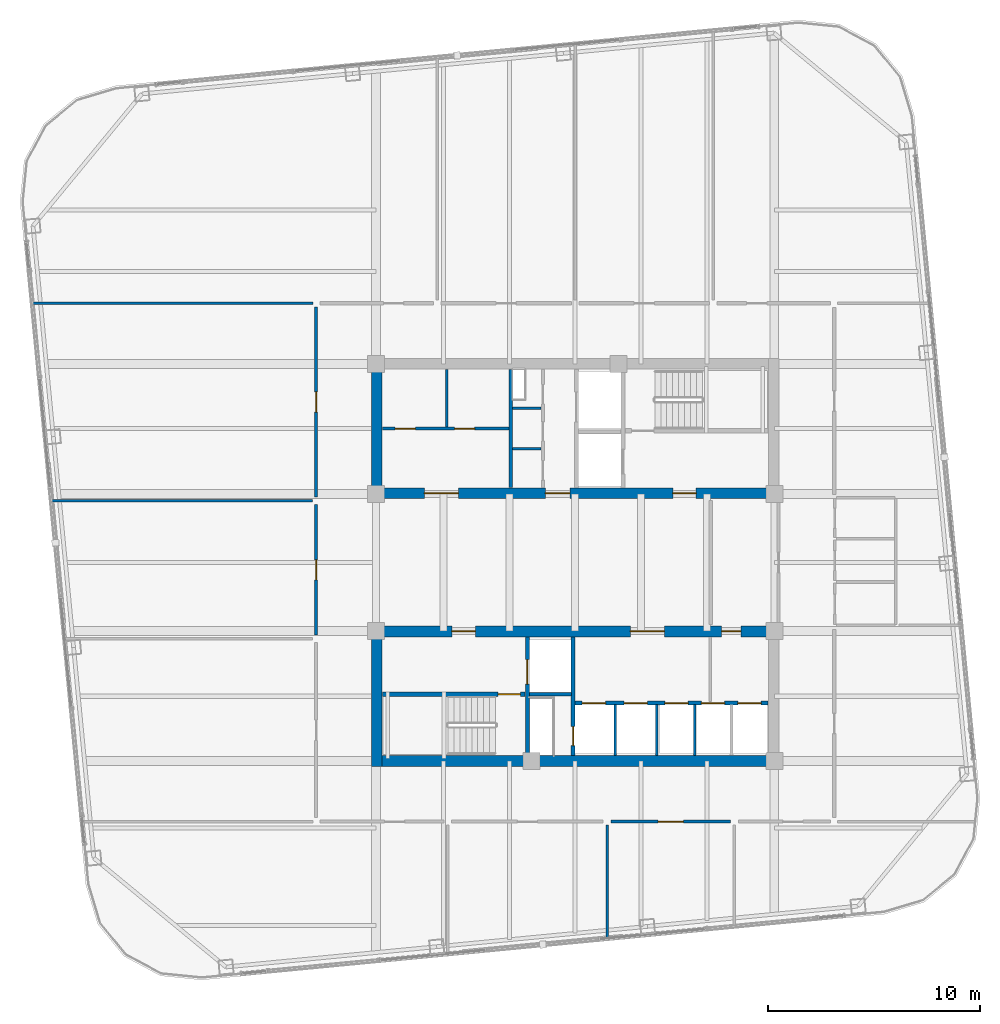
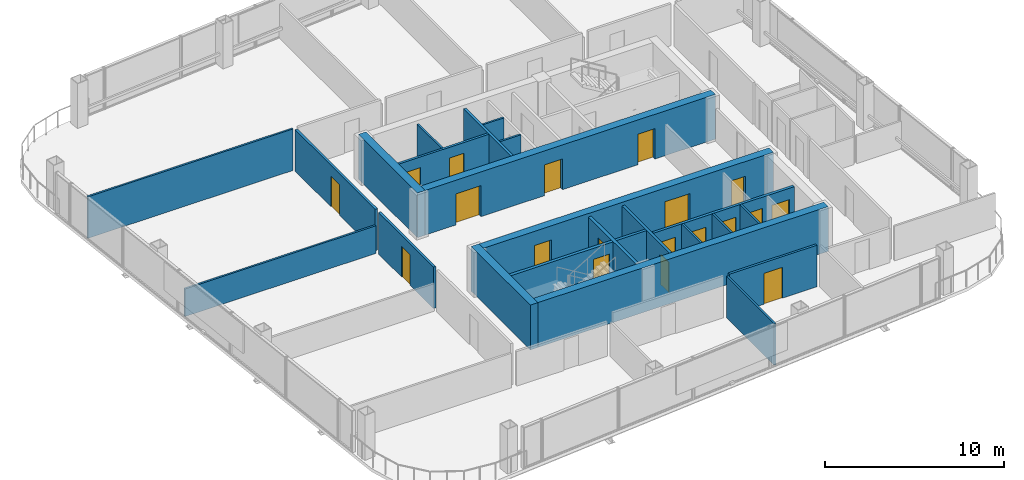
# One storey, part 24 of 29: 24 walls, 19 doors, 19 openings.
"""IFC4 building model written with IfcOpenShell, lengths in metres."""

from ifc_helpers import new_model, si_unit, direction, frame, frame_2d, origin, place, context, subcontext, project, spatial, rectangle, extrude, material, layer, layer_set, type_object, element, fill, save


model = new_model("IFC4")

# Units and contexts
model_context = context("Model", 3, precision=1e-05, world=origin(), true_north=direction((0.0, 1.0)))
body_context = subcontext(model_context, "Body", "Model", "MODEL_VIEW")
ifc_project = project(units=[si_unit("LENGTHUNIT", "METRE"), si_unit("AREAUNIT", "SQUARE_METRE"), si_unit("VOLUMEUNIT", "CUBIC_METRE"), si_unit("PLANEANGLEUNIT", "RADIAN"), si_unit("MASSUNIT", "GRAM", prefix="KILO")], contexts=[model_context])

# Site, building, storey
site_placement = place(None, origin())
site = spatial("IfcSite", under=ifc_project, at=site_placement, CompositionType="ELEMENT")
building_placement = place(site_placement, origin())
building = spatial("IfcBuilding", under=site, at=building_placement, Name="Qhalaya Broadcast Tower", CompositionType="ELEMENT")
storey_placement = place(building_placement, frame((0.0, 0.0, 177.5)))
storey = spatial("IfcBuildingStorey", under=building, at=storey_placement, Name="L52", CompositionType="ELEMENT", Elevation=177.5)

# Wall, openings, doors
ifc_material_1 = material(Name="Gypsum Acoustic Partition")
ifc_layer_1 = layer(ifc_material_1, 0.14990234375, Name="Gypsum Acoustic Partition")
ifc_layer_set_1 = layer_set([ifc_layer_1], Name="Gypsum Acoustic Partition")
wall_type_1 = type_object("IfcWallType", Name="Corridor & Tenancy Acoustic Partition 150", PredefinedType="PARTITIONING", material=ifc_layer_set_1)
wall_1_placement = place(storey_placement, frame((-9.080078125, 6.89990234375, 0.0), z_axis=(0.0, 0.0, 1.0), x_axis=(1.0, 0.0, 0.0)))
wall_1 = element("IfcWall", 1, at=wall_1_placement, inside=storey, type_object=wall_type_1, Name="L52 Partition Wall NCW-REC1", PredefinedType="PARTITIONING", context=body_context, shape_type="SweptSolid", body=[
    extrude(rectangle(XDim=5.9599609375, YDim=0.14990234375, at=frame_2d((2.97998046875, 0.0))), origin(), (0.0, 0.0, 1.0), 2.830078125),
])
opening_1_placement = place(wall_1_placement, frame((0.60009765625, 0.0, 0.0)))
opening_1 = element("IfcOpeningElement", 2, at=opening_1_placement, cuts=wall_1, Name="Opening D10", PredefinedType="OPENING", context=body_context, shape_type="SweptSolid", body=[
    extrude(rectangle(XDim=0.949951171875, YDim=2.10009765625, at=frame_2d((0.47509765625, 1.050048828125))), frame((0.0, 0.0869140625, 0.0), z_axis=(0.0, -1.0, 0.0), x_axis=(1.0, 0.0, 0.0)), (0.0, 0.0, 1.0), 0.173828125),
])
opening_2_placement = place(wall_1_placement, frame((3.39990234375, 0.0, 0.0)))
opening_2 = element("IfcOpeningElement", 3, at=opening_2_placement, cuts=wall_1, Name="Opening D10", PredefinedType="OPENING", context=body_context, shape_type="SweptSolid", body=[
    extrude(rectangle(XDim=0.949951171875, YDim=2.10009765625, at=frame_2d((0.47509765625, 1.050048828125))), frame((0.0, 0.0869140625, 0.0), z_axis=(0.0, -1.0, 0.0), x_axis=(1.0, 0.0, 0.0)), (0.0, 0.0, 1.0), 0.173828125),
])
ifc_material_2 = material(Name="Timber Veneer Acoustic Door", Category="wood")
door_type_1 = type_object("IfcDoorType", Name="Cellular Office & Edit Booth Door D10", OperationType="NOTDEFINED", PredefinedType="DOOR", material=ifc_material_2)
door_1_placement = place(opening_1_placement, origin())
door_1 = element("IfcDoor", 4, at=door_1_placement, inside=storey, type_object=door_type_1, Name="L52 Door D-NREC1", OperationType="SINGLE_SWING_LEFT", OverallHeight=2.10009765625, OverallWidth=0.949951171875, PredefinedType="DOOR", context=body_context, shape_type="SweptSolid", body=[
    extrude(rectangle(XDim=0.949951171875, YDim=2.10009765625, at=frame_2d((0.47509765625, 1.050048828125))), frame((0.0, 0.02490234375, 0.0), z_axis=(0.0, -1.0, 0.0), x_axis=(1.0, 0.0, 0.0)), (0.0, 0.0, 1.0), 0.050048828125),
])
fill(opening_1, door_1)
door_2_placement = place(opening_2_placement, origin())
door_2 = element("IfcDoor", 5, at=door_2_placement, inside=storey, type_object=door_type_1, Name="L52 Door D-NREC2", OperationType="SINGLE_SWING_RIGHT", OverallHeight=2.10009765625, OverallWidth=0.949951171875, PredefinedType="DOOR", context=body_context, shape_type="SweptSolid", body=[
    extrude(rectangle(XDim=0.949951171875, YDim=2.10009765625, at=frame_2d((0.47509765625, 1.050048828125))), frame((0.0, 0.02490234375, 0.0), z_axis=(0.0, -1.0, 0.0), x_axis=(1.0, 0.0, 0.0)), (0.0, 0.0, 1.0), 0.050048828125),
])
fill(opening_2, door_2)

# Wall, opening, door
wall_2_placement = place(storey_placement, frame((1.679931640625, -11.60009765625, 0.0), z_axis=(0.0, 0.0, 1.0), x_axis=(1.0, 0.0, 0.0)))
wall_2 = element("IfcWall", 6, at=wall_2_placement, inside=storey, type_object=wall_type_1, Name="L52 Partition Wall W-COR-07", PredefinedType="PARTITIONING", context=body_context, shape_type="SweptSolid", body=[
    extrude(rectangle(XDim=5.64013671875, YDim=0.14990234375, at=frame_2d((2.820068359375, 0.0))), origin(), (0.0, 0.0, 1.0), 2.830078125),
])
opening_3_placement = place(wall_2_placement, frame((2.219970703125, 0.0, 0.0)))
opening_3 = element("IfcOpeningElement", 7, at=opening_3_placement, cuts=wall_2, Name="Opening D11", PredefinedType="OPENING", context=body_context, shape_type="SweptSolid", body=[
    extrude(rectangle(XDim=1.199951171875, YDim=2.10009765625, at=frame_2d((0.60009765625, 1.050048828125))), frame((0.0, 0.0869140625, 0.0), z_axis=(0.0, -1.0, 0.0), x_axis=(1.0, 0.0, 0.0)), (0.0, 0.0, 1.0), 0.173828125),
])
ifc_material_3 = material(Name="Anodised Aluminium Glazed Door", Category="aluminium")
door_type_2 = type_object("IfcDoorType", Name="Conference, Boardroom & Studio Control Door D11", OperationType="NOTDEFINED", PredefinedType="DOOR", material=ifc_material_3)
door_3_placement = place(opening_3_placement, origin())
door_3 = element("IfcDoor", 8, at=door_3_placement, inside=storey, type_object=door_type_2, Name="L52 Door D-RM07", OperationType="SINGLE_SWING_RIGHT", OverallHeight=2.10009765625, OverallWidth=1.199951171875, PredefinedType="DOOR", context=body_context, shape_type="SweptSolid", body=[
    extrude(rectangle(XDim=1.199951171875, YDim=2.10009765625, at=frame_2d((0.60009765625, 1.050048828125))), frame((0.0, 0.02490234375, 0.0), z_axis=(0.0, -1.0, 0.0), x_axis=(1.0, 0.0, 0.0)), (0.0, 0.0, 1.0), 0.050048828125),
])
fill(opening_3, door_3)

wall_3_placement = place(storey_placement, frame((-12.199951171875, -2.820068359375, 0.0), z_axis=(0.0, 0.0, 1.0), x_axis=(0.0, 1.0, 0.0)))
wall_3 = element("IfcWall", 9, at=wall_3_placement, inside=storey, type_object=wall_type_1, Name="L52 Partition Wall W-COR-10", PredefinedType="PARTITIONING", context=body_context, shape_type="SweptSolid", body=[
    extrude(rectangle(XDim=6.14013671875, YDim=0.14990234375, at=frame_2d((3.070068359375, 0.0))), origin(), (0.0, 0.0, 1.0), 2.830078125),
])
opening_4_placement = place(wall_3_placement, frame((2.594970703125, 0.0, 0.0)))
opening_4 = element("IfcOpeningElement", 10, at=opening_4_placement, cuts=wall_3, Name="Opening D10", PredefinedType="OPENING", context=body_context, shape_type="SweptSolid", body=[
    extrude(rectangle(XDim=0.949951171875, YDim=2.10009765625, at=frame_2d((0.47509765625, 1.050048828125))), frame((0.0, 0.0869140625, 0.0), z_axis=(0.0, -1.0, 0.0), x_axis=(1.0, 0.0, 0.0)), (0.0, 0.0, 1.0), 0.173828125),
])
door_4_placement = place(opening_4_placement, origin())
door_4 = element("IfcDoor", 11, at=door_4_placement, inside=storey, type_object=door_type_1, Name="L52 Door D-RM10", OperationType="SINGLE_SWING_LEFT", OverallHeight=2.10009765625, OverallWidth=0.949951171875, PredefinedType="DOOR", context=body_context, shape_type="SweptSolid", body=[
    extrude(rectangle(XDim=0.949951171875, YDim=2.10009765625, at=frame_2d((0.47509765625, 1.050048828125))), frame((0.0, 0.02490234375, 0.0), z_axis=(0.0, -1.0, 0.0), x_axis=(1.0, 0.0, 0.0)), (0.0, 0.0, 1.0), 0.050048828125),
])
fill(opening_4, door_4)

wall_4_placement = place(storey_placement, frame((-12.199951171875, 3.679931640625, 0.0), z_axis=(0.0, 0.0, 1.0), x_axis=(0.0, 1.0, 0.0)))
wall_4 = element("IfcWall", 12, at=wall_4_placement, inside=storey, type_object=wall_type_1, Name="L52 Partition Wall W-COR-11", PredefinedType="PARTITIONING", context=body_context, shape_type="SweptSolid", body=[
    extrude(rectangle(XDim=8.940185546875, YDim=0.14990234375, at=frame_2d((4.47021484375, 0.0))), origin(), (0.0, 0.0, 1.0), 2.830078125),
])
opening_5_placement = place(wall_4_placement, frame((3.9951171875, 0.0, 0.0)))
opening_5 = element("IfcOpeningElement", 13, at=opening_5_placement, cuts=wall_4, Name="Opening D10", PredefinedType="OPENING", context=body_context, shape_type="SweptSolid", body=[
    extrude(rectangle(XDim=0.949951171875, YDim=2.10009765625, at=frame_2d((0.47509765625, 1.050048828125))), frame((0.0, 0.0869140625, 0.0), z_axis=(0.0, -1.0, 0.0), x_axis=(1.0, 0.0, 0.0)), (0.0, 0.0, 1.0), 0.173828125),
])
door_5_placement = place(opening_5_placement, origin())
door_5 = element("IfcDoor", 14, at=door_5_placement, inside=storey, type_object=door_type_1, Name="L52 Door D-RM11", OperationType="SINGLE_SWING_RIGHT", OverallHeight=2.10009765625, OverallWidth=0.949951171875, PredefinedType="DOOR", context=body_context, shape_type="SweptSolid", body=[
    extrude(rectangle(XDim=0.949951171875, YDim=2.10009765625, at=frame_2d((0.47509765625, 1.050048828125))), frame((0.0, 0.02490234375, 0.0), z_axis=(0.0, -1.0, 0.0), x_axis=(1.0, 0.0, 0.0)), (0.0, 0.0, 1.0), 0.050048828125),
])
fill(opening_5, door_5)

ifc_material_4 = material(Name="Concrete C50/60", Category="concrete")
ifc_layer_2 = layer(ifc_material_4, 0.199951171875, Name="Concrete C50/60")
ifc_layer_set_2 = layer_set([ifc_layer_2], Name="Concrete C50/60")
wall_type_2 = type_object("IfcWallType", Name="Load-Bearing Stair Shaft Wall 200", PredefinedType="SHEAR", material=ifc_layer_set_2)
wall_5_placement = place(storey_placement, frame((-9.080078125, -5.60498046875, 0.0), z_axis=(0.0, 0.0, 1.0), x_axis=(1.0, 0.0, 0.0)))
wall_5 = element("IfcWall", 15, at=wall_5_placement, inside=storey, type_object=wall_type_2, Name="L52 Stair Core Shear Wall SCW-ST2", PredefinedType="SHEAR", context=body_context, shape_type="SweptSolid", body=[
    extrude(rectangle(XDim=6.719970703125, YDim=0.199951171875, at=frame_2d((3.35986328125, 0.0))), origin(), (0.0, 0.0, 1.0), 2.830078125),
])
opening_6_placement = place(wall_5_placement, frame((5.449951171875, 0.0, 0.0)))
opening_6 = element("IfcOpeningElement", 16, at=opening_6_placement, cuts=wall_5, Name="Opening D03", PredefinedType="OPENING", context=body_context, shape_type="SweptSolid", body=[
    extrude(rectangle(XDim=1.050048828125, YDim=2.080078125, at=frame_2d((0.52490234375, 1.0400390625))), frame((0.0, 0.112060546875, 0.0), z_axis=(0.0, -1.0, 0.0), x_axis=(1.0, 0.0, 0.0)), (0.0, 0.0, 1.0), 0.223876953125),
])
ifc_material_5 = material(Name="Fire-Rated Steel Door", Category="steel")
door_type_3 = type_object("IfcDoorType", Name="Core Stair Protected Fire Door D03", OperationType="NOTDEFINED", PredefinedType="DOOR", material=ifc_material_5)
door_6_placement = place(opening_6_placement, origin())
door_6 = element("IfcDoor", 17, at=door_6_placement, inside=storey, type_object=door_type_3, Name="L52 Door D-SST2", OperationType="SINGLE_SWING_RIGHT", OverallHeight=2.080078125, OverallWidth=1.050048828125, PredefinedType="DOOR", context=body_context, shape_type="SweptSolid", body=[
    extrude(rectangle(XDim=1.050048828125, YDim=2.080078125, at=frame_2d((0.52490234375, 1.0400390625))), frame((0.0, 0.02490234375, 0.0), z_axis=(0.0, -1.0, 0.0), x_axis=(1.0, 0.0, 0.0)), (0.0, 0.0, 1.0), 0.050048828125),
])
fill(opening_6, door_6)

wall_6_placement = place(storey_placement, frame((-2.25, -8.47998046875, 0.0), z_axis=(0.0, 0.0, 1.0), x_axis=(0.0, 1.0, 0.0)))
wall_6 = element("IfcWall", 18, at=wall_6_placement, inside=storey, type_object=wall_type_2, Name="L52 Stair Core Shear Wall SCW-FF", PredefinedType="SHEAR", context=body_context, shape_type="SweptSolid", body=[
    extrude(rectangle(XDim=5.56005859375, YDim=0.199951171875, at=frame_2d((2.780029296875, 0.0))), origin(), (0.0, 0.0, 1.0), 2.830078125),
])
opening_7_placement = place(wall_6_placement, frame((3.35009765625, 0.0, 0.0)))
opening_7 = element("IfcOpeningElement", 19, at=opening_7_placement, cuts=wall_6, Name="Opening LD2", PredefinedType="OPENING", context=body_context, shape_type="SweptSolid", body=[
    extrude(rectangle(XDim=1.14990234375, YDim=2.080078125, at=frame_2d((0.574951171875, 1.0400390625))), frame((0.0, 0.112060546875, 0.0), z_axis=(0.0, -1.0, 0.0), x_axis=(1.0, 0.0, 0.0)), (0.0, 0.0, 1.0), 0.223876953125),
])
ifc_material_6 = material(Name="Brushed Stainless Steel Lift Door", Category="steel")
door_type_4 = type_object("IfcDoorType", Name="Firefighting Lift Sliding Landing Door LD2", OperationType="DOUBLE_DOOR_SLIDING", PredefinedType="DOOR", material=ifc_material_6)
door_7_placement = place(opening_7_placement, origin())
door_7 = element("IfcDoor", 20, at=door_7_placement, inside=storey, type_object=door_type_4, Name="L52 Door LD-FF2", OperationType="DOUBLE_DOOR_SLIDING", OverallHeight=2.080078125, OverallWidth=1.14990234375, PredefinedType="DOOR", context=body_context, shape_type="SweptSolid", body=[
    extrude(rectangle(XDim=1.14990234375, YDim=2.080078125, at=frame_2d((0.574951171875, 1.0400390625))), frame((0.0, 0.02490234375, 0.0), z_axis=(0.0, -1.0, 0.0), x_axis=(1.0, 0.0, 0.0)), (0.0, 0.0, 1.0), 0.050048828125),
])
fill(opening_7, door_7)

# Wall, openings, doors
ifc_layer_3 = layer(ifc_material_4, 0.5, Name="Concrete C50/60")
ifc_layer_set_3 = layer_set([ifc_layer_3], Name="Concrete C50/60")
wall_type_3 = type_object("IfcWallType", Name="Mid Split-Core Shear Wall 500", PredefinedType="SHEAR", material=ifc_layer_set_3)
wall_7_placement = place(storey_placement, frame((-9.60009765625, 3.85009765625, 0.0), z_axis=(0.0, 0.0, 1.0), x_axis=(1.0, 0.0, 0.0)))
wall_7 = element("IfcWall", 21, at=wall_7_placement, inside=storey, type_object=wall_type_3, Name="L52 Split-Core Shear Wall CW-NS", PredefinedType="SHEAR", context=body_context, shape_type="SweptSolid", body=[
    extrude(rectangle(XDim=19.2001953125, YDim=0.5, at=frame_2d((9.60009765625, 0.0))), origin(), (0.0, 0.0, 1.0), 3.050048828125),
])
opening_8_placement = place(wall_7_placement, frame((14.199951171875, 0.0, 0.0)))
opening_8 = element("IfcOpeningElement", 22, at=opening_8_placement, cuts=wall_7, Name="Opening D04", PredefinedType="OPENING", context=body_context, shape_type="SweptSolid", body=[
    extrude(rectangle(XDim=1.10009765625, YDim=2.080078125, at=frame_2d((0.550048828125, 1.0400390625))), frame((0.0, 0.261962890625, 0.0), z_axis=(0.0, -1.0, 0.0), x_axis=(1.0, 0.0, 0.0)), (0.0, 0.0, 1.0), 0.52392578125),
])
opening_9_placement = place(wall_7_placement, frame((8.199951171875, 0.0, 0.0)))
opening_9 = element("IfcOpeningElement", 23, at=opening_9_placement, cuts=wall_7, Name="Opening D05", PredefinedType="OPENING", context=body_context, shape_type="SweptSolid", body=[
    extrude(rectangle(XDim=1.14990234375, YDim=2.10009765625, at=frame_2d((0.574951171875, 1.050048828125))), frame((0.0, 0.261962890625, 0.0), z_axis=(0.0, -1.0, 0.0), x_axis=(1.0, 0.0, 0.0)), (0.0, 0.0, 1.0), 0.52392578125),
])
opening_10_placement = place(wall_7_placement, frame((2.5, 0.0, 0.0)))
opening_10 = element("IfcOpeningElement", 24, at=opening_10_placement, cuts=wall_7, Name="Opening D07", PredefinedType="OPENING", context=body_context, shape_type="SweptSolid", body=[
    extrude(rectangle(XDim=1.60009765625, YDim=2.1201171875, at=frame_2d((0.800048828125, 1.06005859375))), frame((0.0, 0.261962890625, 0.0), z_axis=(0.0, -1.0, 0.0), x_axis=(1.0, 0.0, 0.0)), (0.0, 0.0, 1.0), 0.52392578125),
])
door_type_5 = type_object("IfcDoorType", Name="Firefighting Lobby Rated Door D04", OperationType="NOTDEFINED", PredefinedType="DOOR", material=ifc_material_5)
door_8_placement = place(opening_8_placement, origin())
door_8 = element("IfcDoor", 25, at=door_8_placement, inside=storey, type_object=door_type_5, Name="L52 Door D-NFF", OperationType="SINGLE_SWING_RIGHT", OverallHeight=2.080078125, OverallWidth=1.10009765625, PredefinedType="DOOR", context=body_context, shape_type="SweptSolid", body=[
    extrude(rectangle(XDim=1.10009765625, YDim=2.080078125, at=frame_2d((0.550048828125, 1.0400390625))), frame((0.0, 0.02490234375, 0.0), z_axis=(0.0, -1.0, 0.0), x_axis=(1.0, 0.0, 0.0)), (0.0, 0.0, 1.0), 0.050048828125),
])
fill(opening_8, door_8)
door_type_6 = type_object("IfcDoorType", Name="Passenger Lift Lobby Double Glazed Door D07", OperationType="DOUBLE_DOOR_SINGLE_SWING", PredefinedType="DOOR", material=ifc_material_3)
door_9_placement = place(opening_10_placement, origin())
door_9 = element("IfcDoor", 26, at=door_9_placement, inside=storey, type_object=door_type_6, Name="L52 Door D-NRECV", OperationType="DOUBLE_DOOR_SINGLE_SWING", OverallHeight=2.1201171875, OverallWidth=1.60009765625, PredefinedType="DOOR", context=body_context, shape_type="SweptSolid", body=[
    extrude(rectangle(XDim=1.60009765625, YDim=2.1201171875, at=frame_2d((0.800048828125, 1.06005859375))), frame((0.0, 0.02490234375, 0.0), z_axis=(0.0, -1.0, 0.0), x_axis=(1.0, 0.0, 0.0)), (0.0, 0.0, 1.0), 0.050048828125),
])
fill(opening_10, door_9)
door_type_7 = type_object("IfcDoorType", Name="Refuge & Plant Room Fire Door D05", OperationType="NOTDEFINED", PredefinedType="DOOR", material=ifc_material_5)
door_10_placement = place(opening_9_placement, origin())
door_10 = element("IfcDoor", 27, at=door_10_placement, inside=storey, type_object=door_type_7, Name="L52 Door D-NSVL", OperationType="SINGLE_SWING_LEFT", OverallHeight=2.10009765625, OverallWidth=1.14990234375, PredefinedType="DOOR", context=body_context, shape_type="SweptSolid", body=[
    extrude(rectangle(XDim=1.14990234375, YDim=2.10009765625, at=frame_2d((0.574951171875, 1.050048828125))), frame((0.0, 0.02490234375, 0.0), z_axis=(0.0, -1.0, 0.0), x_axis=(1.0, 0.0, 0.0)), (0.0, 0.0, 1.0), 0.050048828125),
])
fill(opening_9, door_10)

# Walls
wall_8_placement = place(storey_placement, frame((-9.35009765625, 3.60009765625, 0.0), z_axis=(0.0, 0.0, 1.0), x_axis=(0.0, 1.0, 0.0)))
element("IfcWall", 28, at=wall_8_placement, inside=storey, type_object=wall_type_3, Name="L52 Split-Core Shear Wall CW-NW", PredefinedType="SHEAR", context=body_context, shape_type="SweptSolid", body=[
    extrude(rectangle(XDim=6.599853515625, YDim=0.5, at=frame_2d((3.2998046875, 0.0))), origin(), (0.0, 0.0, 1.0), 3.050048828125),
])
wall_9_placement = place(storey_placement, frame((-9.60009765625, -8.75, 0.0), z_axis=(0.0, 0.0, 1.0), x_axis=(1.0, 0.0, 0.0)))
element("IfcWall", 29, at=wall_9_placement, inside=storey, type_object=wall_type_3, Name="L52 Split-Core Shear Wall CW-SS", PredefinedType="SHEAR", context=body_context, shape_type="SweptSolid", body=[
    extrude(rectangle(XDim=19.2001953125, YDim=0.5, at=frame_2d((9.60009765625, 0.0))), origin(), (0.0, 0.0, 1.0), 3.050048828125),
])

# Wall, openings, doors
wall_10_placement = place(storey_placement, frame((-9.60009765625, -2.64990234375, 0.0), z_axis=(0.0, 0.0, 1.0), x_axis=(1.0, 0.0, 0.0)))
wall_10 = element("IfcWall", 30, at=wall_10_placement, inside=storey, type_object=wall_type_3, Name="L52 Split-Core Shear Wall CW-SN", PredefinedType="SHEAR", context=body_context, shape_type="SweptSolid", body=[
    extrude(rectangle(XDim=19.2001953125, YDim=0.5, at=frame_2d((9.60009765625, 0.0))), origin(), (0.0, 0.0, 1.0), 3.050048828125),
])
opening_11_placement = place(wall_10_placement, frame((3.800048828125, 0.0, 0.0)))
opening_11 = element("IfcOpeningElement", 31, at=opening_11_placement, cuts=wall_10, Name="Opening D04", PredefinedType="OPENING", context=body_context, shape_type="SweptSolid", body=[
    extrude(rectangle(XDim=1.10009765625, YDim=2.080078125, at=frame_2d((0.550048828125, 1.0400390625))), frame((0.0, 0.261962890625, 0.0), z_axis=(0.0, -1.0, 0.0), x_axis=(1.0, 0.0, 0.0)), (0.0, 0.0, 1.0), 0.52392578125),
])
opening_12_placement = place(wall_10_placement, frame((12.199951171875, 0.0, 0.0)))
opening_12 = element("IfcOpeningElement", 32, at=opening_12_placement, cuts=wall_10, Name="Opening D07", PredefinedType="OPENING", context=body_context, shape_type="SweptSolid", body=[
    extrude(rectangle(XDim=1.60009765625, YDim=2.1201171875, at=frame_2d((0.800048828125, 1.06005859375))), frame((0.0, 0.261962890625, 0.0), z_axis=(0.0, -1.0, 0.0), x_axis=(1.0, 0.0, 0.0)), (0.0, 0.0, 1.0), 0.52392578125),
])
opening_13_placement = place(wall_10_placement, frame((16.5, 0.0, 0.0)))
opening_13 = element("IfcOpeningElement", 33, at=opening_13_placement, cuts=wall_10, Name="Opening D06", PredefinedType="OPENING", context=body_context, shape_type="SweptSolid", body=[
    extrude(rectangle(XDim=0.89990234375, YDim=2.050048828125, at=frame_2d((0.449951171875, 1.02490234375))), frame((0.0, 0.261962890625, 0.0), z_axis=(0.0, -1.0, 0.0), x_axis=(1.0, 0.0, 0.0)), (0.0, 0.0, 1.0), 0.52392578125),
])
door_11_placement = place(opening_11_placement, origin())
door_11 = element("IfcDoor", 34, at=door_11_placement, inside=storey, type_object=door_type_5, Name="L52 Door D-SFF", OperationType="SINGLE_SWING_LEFT", OverallHeight=2.080078125, OverallWidth=1.10009765625, PredefinedType="DOOR", context=body_context, shape_type="SweptSolid", body=[
    extrude(rectangle(XDim=1.10009765625, YDim=2.080078125, at=frame_2d((0.550048828125, 1.0400390625))), frame((0.0, 0.02490234375, 0.0), z_axis=(0.0, -1.0, 0.0), x_axis=(1.0, 0.0, 0.0)), (0.0, 0.0, 1.0), 0.050048828125),
])
fill(opening_11, door_11)
door_12_placement = place(opening_12_placement, origin())
door_12 = element("IfcDoor", 35, at=door_12_placement, inside=storey, type_object=door_type_6, Name="L52 Door D-SPLL", OperationType="DOUBLE_DOOR_SINGLE_SWING", OverallHeight=2.1201171875, OverallWidth=1.60009765625, PredefinedType="DOOR", context=body_context, shape_type="SweptSolid", body=[
    extrude(rectangle(XDim=1.60009765625, YDim=2.1201171875, at=frame_2d((0.800048828125, 1.06005859375))), frame((0.0, 0.02490234375, 0.0), z_axis=(0.0, -1.0, 0.0), x_axis=(1.0, 0.0, 0.0)), (0.0, 0.0, 1.0), 0.050048828125),
])
fill(opening_12, door_12)
door_type_8 = type_object("IfcDoorType", Name="Riser & Electrical Shaft Access Door D06", OperationType="NOTDEFINED", PredefinedType="DOOR", material=ifc_material_5)
door_13_placement = place(opening_13_placement, origin())
door_13 = element("IfcDoor", 36, at=door_13_placement, inside=storey, type_object=door_type_8, Name="L52 Door D-SSCST", OperationType="SINGLE_SWING_LEFT", OverallHeight=2.050048828125, OverallWidth=0.89990234375, PredefinedType="DOOR", context=body_context, shape_type="SweptSolid", body=[
    extrude(rectangle(XDim=0.89990234375, YDim=2.050048828125, at=frame_2d((0.449951171875, 1.02490234375))), frame((0.0, 0.02490234375, 0.0), z_axis=(0.0, -1.0, 0.0), x_axis=(1.0, 0.0, 0.0)), (0.0, 0.0, 1.0), 0.050048828125),
])
fill(opening_13, door_13)

# Walls
wall_11_placement = place(storey_placement, frame((-9.35009765625, -9.0, 0.0), z_axis=(0.0, 0.0, 1.0), x_axis=(0.0, 1.0, 0.0)))
element("IfcWall", 37, at=wall_11_placement, inside=storey, type_object=wall_type_3, Name="L52 Split-Core Shear Wall CW-SW", PredefinedType="SHEAR", context=body_context, shape_type="SweptSolid", body=[
    extrude(rectangle(XDim=6.60009765625, YDim=0.5, at=frame_2d((3.300048828125, 0.0))), origin(), (0.0, 0.0, 1.0), 3.050048828125),
])
ifc_layer_4 = layer(ifc_material_1, 0.1201171875, Name="Gypsum Acoustic Partition")
ifc_layer_set_4 = layer_set([ifc_layer_4], Name="Gypsum Acoustic Partition")
wall_type_4 = type_object("IfcWallType", Name="Office, Booth & Sanitary Partition 120", PredefinedType="PARTITIONING", material=ifc_layer_set_4)
for number, where, z_axis, x_axis, name in (
    (38, (-2.9599609375, 5.949951171875, 0.0), (0.0, 0.0, 1.0), (1.0, 0.0, 0.0), "L52 Partition Wall NCW-VB1"),
    (39, (-2.9599609375, 7.85009765625, 0.0), (0.0, 0.0, 1.0), (1.0, 0.0, 0.0), "L52 Partition Wall NCW-VB2"),
):
    element("IfcWall", number, at=place(storey_placement, frame(where, z_axis=z_axis, x_axis=x_axis)), inside=storey, type_object=wall_type_4, Name=name, PredefinedType="PARTITIONING", context=body_context, shape_type="SweptSolid", body=[
        extrude(rectangle(XDim=1.35986328125, YDim=0.1201171875, at=frame_2d((0.679931640625, 0.0))), origin(), (0.0, 0.0, 1.0), 2.830078125),
    ])
wall_12_placement = place(storey_placement, frame((-6.050048828125, 6.97998046875, 0.0), z_axis=(0.0, 0.0, 1.0), x_axis=(0.0, 1.0, 0.0)))
element("IfcWall", 40, at=wall_12_placement, inside=storey, type_object=wall_type_4, Name="L52 Partition Wall NCW-REC2", PredefinedType="PARTITIONING", context=body_context, shape_type="SweptSolid", body=[
    extrude(rectangle(XDim=2.699951171875, YDim=0.1201171875, at=frame_2d((1.35009765625, 0.0))), origin(), (0.0, 0.0, 1.0), 2.830078125),
])
for number, where, z_axis, x_axis, name in (
    (41, (1.8798828125, -8.47998046875, 0.0), (0.0, 0.0, 1.0), (0.0, 1.0, 0.0), "L52 Partition Wall SCW-MD4"),
    (42, (3.85009765625, -8.47998046875, 0.0), (0.0, 0.0, 1.0), (0.0, 1.0, 0.0), "L52 Partition Wall SCW-MD5"),
    (43, (5.639892578125, -8.47998046875, 0.0), (0.0, 0.0, 1.0), (0.0, 1.0, 0.0), "L52 Partition Wall SCW-HD6"),
):
    element("IfcWall", number, at=place(storey_placement, frame(where, z_axis=z_axis, x_axis=x_axis)), inside=storey, type_object=wall_type_4, Name=name, PredefinedType="PARTITIONING", context=body_context, shape_type="SweptSolid", body=[
        extrude(rectangle(XDim=2.3798828125, YDim=0.1201171875, at=frame_2d((1.18994140625, 0.0))), origin(), (0.0, 0.0, 1.0), 2.830078125),
    ])
wall_13_placement = place(storey_placement, frame((-25.558837890625, 12.800048828125, 0.0), z_axis=(0.0, 0.0, 1.0), x_axis=(1.0, 0.0, 0.0)))
element("IfcWall", 44, at=wall_13_placement, inside=storey, type_object=wall_type_4, Name="L52 Partition Wall W-BNDW1", PredefinedType="PARTITIONING", context=body_context, shape_type="SweptSolid", body=[
    extrude(rectangle(XDim=13.21875, YDim=0.1201171875, at=frame_2d((6.609375, 0.0))), origin(), (0.0, 0.0, 1.0), 2.830078125),
])
wall_14_placement = place(storey_placement, frame((1.5, -17.101806640625, 0.0), z_axis=(0.0, 0.0, 1.0), x_axis=(0.0, 1.0, 0.0)))
element("IfcWall", 45, at=wall_14_placement, inside=storey, type_object=wall_type_4, Name="L52 Partition Wall W-DIVS2", PredefinedType="PARTITIONING", context=body_context, shape_type="SweptSolid", body=[
    extrude(rectangle(XDim=5.341796875, YDim=0.1201171875, at=frame_2d((2.6708984375, 0.0))), origin(), (0.0, 0.0, 1.0), 2.830078125),
])
wall_15_placement = place(storey_placement, frame((-24.663330078125, 3.5, 0.0), z_axis=(0.0, 0.0, 1.0), x_axis=(1.0, 0.0, 0.0)))
element("IfcWall", 46, at=wall_15_placement, inside=storey, type_object=wall_type_4, Name="L52 Partition Wall W-DIVW2", PredefinedType="PARTITIONING", context=body_context, shape_type="SweptSolid", body=[
    extrude(rectangle(XDim=12.30322265625, YDim=0.1201171875, at=frame_2d((6.151611328125, 0.0))), origin(), (0.0, 0.0, 1.0), 1.883056640625),
])
ifc_layer_5 = layer(ifc_material_1, 0.175048828125, Name="Gypsum Acoustic Partition")
ifc_layer_set_5 = layer_set([ifc_layer_5], Name="Gypsum Acoustic Partition")
wall_type_5 = type_object("IfcWallType", Name="Shaft & Riser Fire Partition 175", PredefinedType="PARTITIONING", material=ifc_layer_set_5)
wall_16_placement = place(storey_placement, frame((-3.0400390625, 4.1201171875, 0.0), z_axis=(0.0, 0.0, 1.0), x_axis=(0.0, 1.0, 0.0)))
element("IfcWall", 47, at=wall_16_placement, inside=storey, type_object=wall_type_5, Name="L52 Partition Wall NCW-VRW", PredefinedType="PARTITIONING", context=body_context, shape_type="SweptSolid", body=[
    extrude(rectangle(XDim=5.559814453125, YDim=0.175048828125, at=frame_2d((2.77978515625, 0.0))), origin(), (0.0, 0.0, 1.0), 2.830078125),
])

# Wall, opening, door
wall_17_placement = place(storey_placement, frame((-0.10009765625, -8.47998046875, 0.0), z_axis=(0.0, 0.0, 1.0), x_axis=(0.0, 1.0, 0.0)))
wall_17 = element("IfcWall", 48, at=wall_17_placement, inside=storey, type_object=wall_type_5, Name="L52 Partition Wall SCW-FFE", PredefinedType="PARTITIONING", context=body_context, shape_type="SweptSolid", body=[
    extrude(rectangle(XDim=5.56005859375, YDim=0.175048828125, at=frame_2d((2.780029296875, 0.0))), origin(), (0.0, 0.0, 1.0), 2.830078125),
])
opening_14_placement = place(wall_17_placement, frame((0.449951171875, 0.0, 0.0)))
opening_14 = element("IfcOpeningElement", 49, at=opening_14_placement, cuts=wall_17, Name="Opening D06", PredefinedType="OPENING", context=body_context, shape_type="SweptSolid", body=[
    extrude(rectangle(XDim=0.89990234375, YDim=2.050048828125, at=frame_2d((0.449951171875, 1.02490234375))), frame((0.0, 0.099609375, 0.0), z_axis=(0.0, -1.0, 0.0), x_axis=(1.0, 0.0, 0.0)), (0.0, 0.0, 1.0), 0.198974609375),
])
door_14_placement = place(opening_14_placement, origin())
door_14 = element("IfcDoor", 50, at=door_14_placement, inside=storey, type_object=door_type_8, Name="L52 Riser Shaft Access Door D-SRSR", OperationType="SINGLE_SWING_LEFT", OverallHeight=2.050048828125, OverallWidth=0.89990234375, PredefinedType="DOOR", context=body_context, shape_type="SweptSolid", body=[
    extrude(rectangle(XDim=0.89990234375, YDim=2.050048828125, at=frame_2d((0.449951171875, 1.02490234375))), frame((0.0, 0.02490234375, 0.0), z_axis=(0.0, -1.0, 0.0), x_axis=(1.0, 0.0, 0.0)), (0.0, 0.0, 1.0), 0.050048828125),
])
fill(opening_14, door_14)

# Wall
wall_18_placement = place(storey_placement, frame((-2.14990234375, -5.60009765625, 0.0), z_axis=(0.0, 0.0, 1.0), x_axis=(1.0, 0.0, 0.0)))
element("IfcWall", 51, at=wall_18_placement, inside=storey, type_object=wall_type_5, Name="L52 Partition Wall SCW-FFM", PredefinedType="PARTITIONING", context=body_context, shape_type="SweptSolid", body=[
    extrude(rectangle(XDim=1.969970703125, YDim=0.175048828125, at=frame_2d((0.98486328125, 0.0))), origin(), (0.0, 0.0, 1.0), 2.830078125),
])

# Wall, openings, doors
wall_19_placement = place(storey_placement, frame((0.0, -6.02001953125, 0.0), z_axis=(0.0, 0.0, 1.0), x_axis=(1.0, 0.0, 0.0)))
wall_19 = element("IfcWall", 52, at=wall_19_placement, inside=storey, type_object=wall_type_5, Name="L52 Partition Wall SCW-SLB", PredefinedType="PARTITIONING", context=body_context, shape_type="SweptSolid", body=[
    extrude(rectangle(XDim=9.080078125, YDim=0.175048828125, at=frame_2d((4.5400390625, 0.0))), origin(), (0.0, 0.0, 1.0), 2.830078125),
])
opening_15_placement = place(wall_19_placement, frame((0.330078125, 0.0, 0.0)))
opening_15 = element("IfcOpeningElement", 53, at=opening_15_placement, cuts=wall_19, Name="Opening LD1", PredefinedType="OPENING", context=body_context, shape_type="SweptSolid", body=[
    extrude(rectangle(XDim=1.10009765625, YDim=2.06005859375, at=frame_2d((0.550048828125, 1.030029296875))), frame((0.0, 0.099609375, 0.0), z_axis=(0.0, -1.0, 0.0), x_axis=(1.0, 0.0, 0.0)), (0.0, 0.0, 1.0), 0.198974609375),
])
opening_16_placement = place(wall_19_placement, frame((2.300048828125, 0.0, 0.0)))
opening_16 = element("IfcOpeningElement", 54, at=opening_16_placement, cuts=wall_19, Name="Opening LD1", PredefinedType="OPENING", context=body_context, shape_type="SweptSolid", body=[
    extrude(rectangle(XDim=1.10009765625, YDim=2.06005859375, at=frame_2d((0.550048828125, 1.030029296875))), frame((0.0, 0.099609375, 0.0), z_axis=(0.0, -1.0, 0.0), x_axis=(1.0, 0.0, 0.0)), (0.0, 0.0, 1.0), 0.198974609375),
])
opening_17_placement = place(wall_19_placement, frame((4.219970703125, 0.0, 0.0)))
opening_17 = element("IfcOpeningElement", 55, at=opening_17_placement, cuts=wall_19, Name="Opening LD1", PredefinedType="OPENING", context=body_context, shape_type="SweptSolid", body=[
    extrude(rectangle(XDim=1.10009765625, YDim=2.06005859375, at=frame_2d((0.550048828125, 1.030029296875))), frame((0.0, 0.099609375, 0.0), z_axis=(0.0, -1.0, 0.0), x_axis=(1.0, 0.0, 0.0)), (0.0, 0.0, 1.0), 0.198974609375),
])
opening_18_placement = place(wall_19_placement, frame((5.93994140625, 0.0, 0.0)))
opening_18 = element("IfcOpeningElement", 56, at=opening_18_placement, cuts=wall_19, Name="Opening LD1", PredefinedType="OPENING", context=body_context, shape_type="SweptSolid", body=[
    extrude(rectangle(XDim=1.10009765625, YDim=2.06005859375, at=frame_2d((0.550048828125, 1.030029296875))), frame((0.0, 0.099609375, 0.0), z_axis=(0.0, -1.0, 0.0), x_axis=(1.0, 0.0, 0.0)), (0.0, 0.0, 1.0), 0.198974609375),
])
opening_19_placement = place(wall_19_placement, frame((7.659912109375, 0.0, 0.0)))
opening_19 = element("IfcOpeningElement", 57, at=opening_19_placement, cuts=wall_19, Name="Opening LD1", PredefinedType="OPENING", context=body_context, shape_type="SweptSolid", body=[
    extrude(rectangle(XDim=1.10009765625, YDim=2.06005859375, at=frame_2d((0.550048828125, 1.030029296875))), frame((0.0, 0.099609375, 0.0), z_axis=(0.0, -1.0, 0.0), x_axis=(1.0, 0.0, 0.0)), (0.0, 0.0, 1.0), 0.198974609375),
])
door_type_9 = type_object("IfcDoorType", Name="Passenger Lift Sliding Landing Door LD1", OperationType="DOUBLE_DOOR_SLIDING", PredefinedType="DOOR", material=ifc_material_6)
door_15_placement = place(opening_15_placement, origin())
door_15 = element("IfcDoor", 58, at=door_15_placement, inside=storey, type_object=door_type_9, Name="L52 Door LD-P4", OperationType="DOUBLE_DOOR_SLIDING", OverallHeight=2.06005859375, OverallWidth=1.10009765625, PredefinedType="DOOR", context=body_context, shape_type="SweptSolid", body=[
    extrude(rectangle(XDim=1.10009765625, YDim=2.06005859375, at=frame_2d((0.550048828125, 1.030029296875))), frame((0.0, 0.02490234375, 0.0), z_axis=(0.0, -1.0, 0.0), x_axis=(1.0, 0.0, 0.0)), (0.0, 0.0, 1.0), 0.050048828125),
])
fill(opening_15, door_15)
door_16_placement = place(opening_16_placement, origin())
door_16 = element("IfcDoor", 59, at=door_16_placement, inside=storey, type_object=door_type_9, Name="L52 Door LD-P5", OperationType="DOUBLE_DOOR_SLIDING", OverallHeight=2.06005859375, OverallWidth=1.10009765625, PredefinedType="DOOR", context=body_context, shape_type="SweptSolid", body=[
    extrude(rectangle(XDim=1.10009765625, YDim=2.06005859375, at=frame_2d((0.550048828125, 1.030029296875))), frame((0.0, 0.02490234375, 0.0), z_axis=(0.0, -1.0, 0.0), x_axis=(1.0, 0.0, 0.0)), (0.0, 0.0, 1.0), 0.050048828125),
])
fill(opening_16, door_16)
door_17_placement = place(opening_17_placement, origin())
door_17 = element("IfcDoor", 60, at=door_17_placement, inside=storey, type_object=door_type_9, Name="L52 Door LD-P6", OperationType="DOUBLE_DOOR_SLIDING", OverallHeight=2.06005859375, OverallWidth=1.10009765625, PredefinedType="DOOR", context=body_context, shape_type="SweptSolid", body=[
    extrude(rectangle(XDim=1.10009765625, YDim=2.06005859375, at=frame_2d((0.550048828125, 1.030029296875))), frame((0.0, 0.02490234375, 0.0), z_axis=(0.0, -1.0, 0.0), x_axis=(1.0, 0.0, 0.0)), (0.0, 0.0, 1.0), 0.050048828125),
])
fill(opening_17, door_17)
door_18_placement = place(opening_18_placement, origin())
door_18 = element("IfcDoor", 61, at=door_18_placement, inside=storey, type_object=door_type_9, Name="L52 Door LD-P7", OperationType="DOUBLE_DOOR_SLIDING", OverallHeight=2.06005859375, OverallWidth=1.10009765625, PredefinedType="DOOR", context=body_context, shape_type="SweptSolid", body=[
    extrude(rectangle(XDim=1.10009765625, YDim=2.06005859375, at=frame_2d((0.550048828125, 1.030029296875))), frame((0.0, 0.02490234375, 0.0), z_axis=(0.0, -1.0, 0.0), x_axis=(1.0, 0.0, 0.0)), (0.0, 0.0, 1.0), 0.050048828125),
])
fill(opening_18, door_18)
door_19_placement = place(opening_19_placement, origin())
door_19 = element("IfcDoor", 62, at=door_19_placement, inside=storey, type_object=door_type_9, Name="L52 Door LD-P8", OperationType="DOUBLE_DOOR_SLIDING", OverallHeight=2.06005859375, OverallWidth=1.10009765625, PredefinedType="DOOR", context=body_context, shape_type="SweptSolid", body=[
    extrude(rectangle(XDim=1.10009765625, YDim=2.06005859375, at=frame_2d((0.550048828125, 1.030029296875))), frame((0.0, 0.02490234375, 0.0), z_axis=(0.0, -1.0, 0.0), x_axis=(1.0, 0.0, 0.0)), (0.0, 0.0, 1.0), 0.050048828125),
])
fill(opening_19, door_19)

save(model, "model.ifc")
